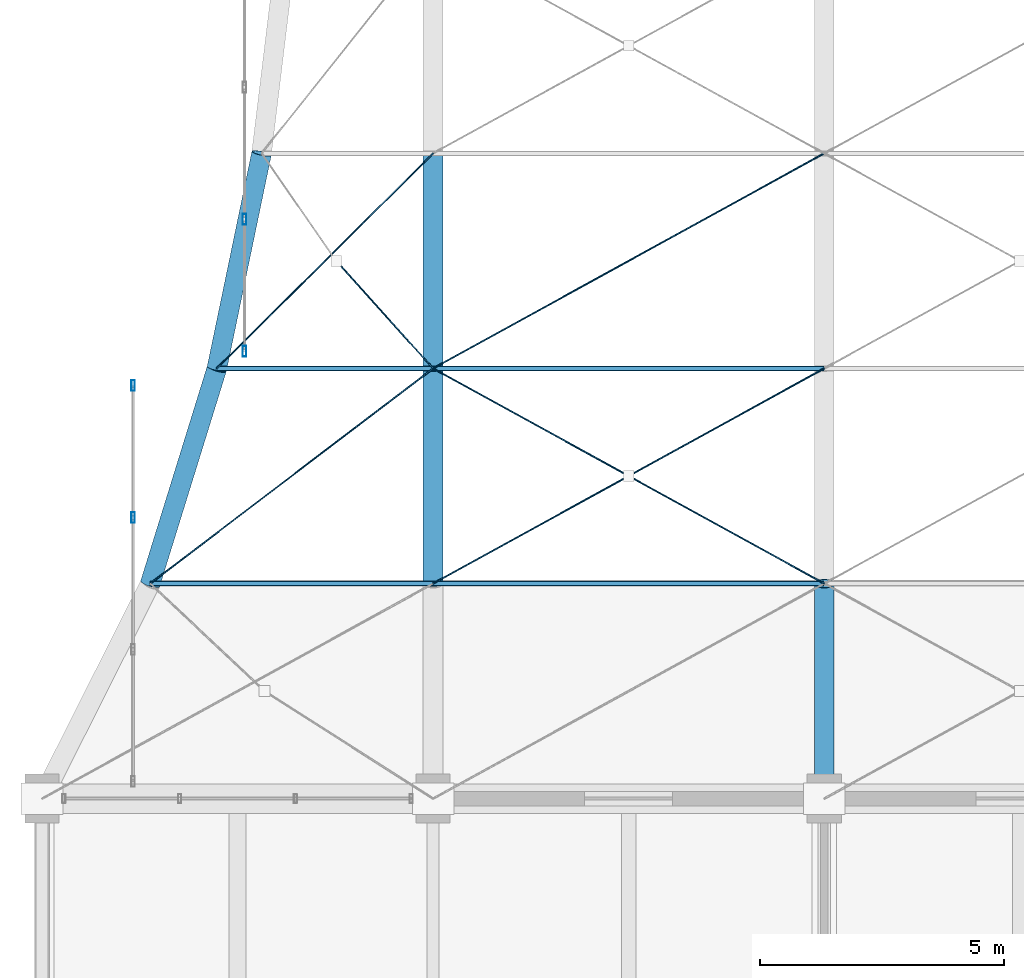
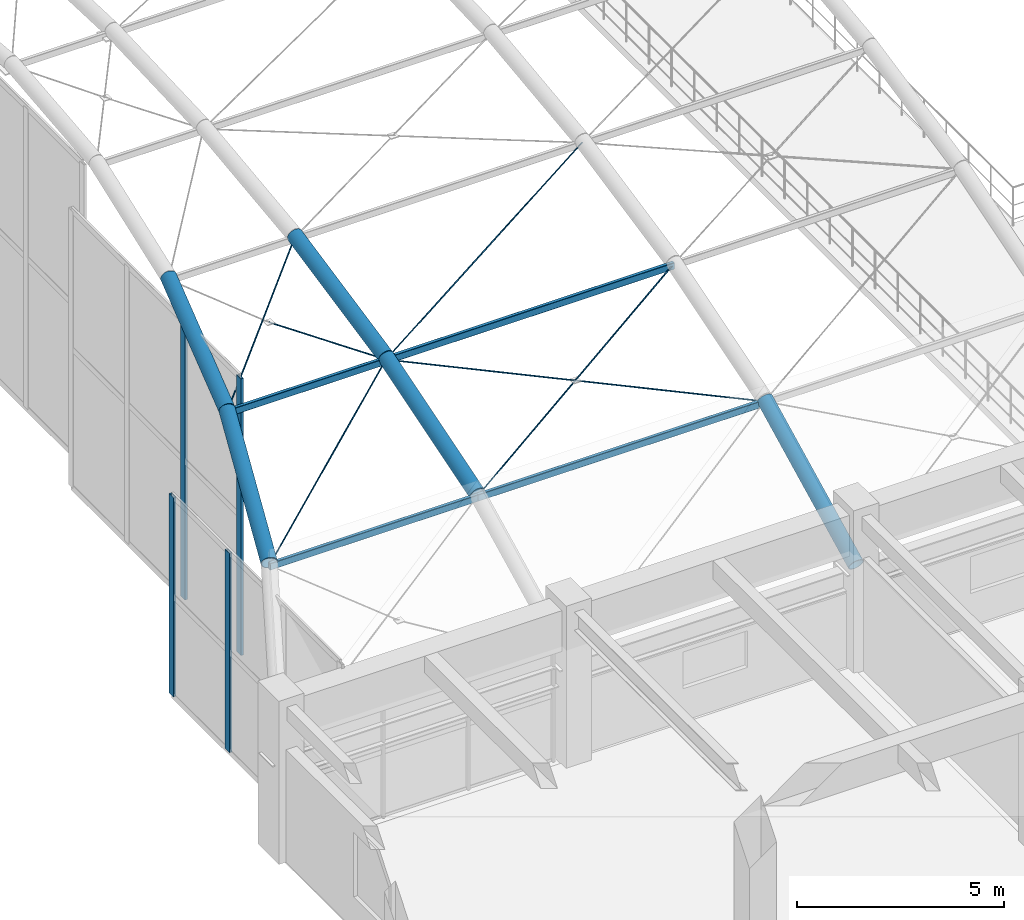
# One storey, part 10 of 144: 11 members, 9 beams, 2 elements without a shape of their own.
"""IFC4 building model written with IfcOpenShell, lengths in metres."""

from ifc_helpers import new_model, si_unit, direction, frame, origin, origin_2d, place, context, subcontext, project, spatial, hollow_rectangle, circle, hollow_circle, extrude, material, material_profile, profile_set, type_object, element, aggregate, save


model = new_model("IFC4")

# Units and contexts
model_context = context("Model", 3, precision=1e-05, world=origin(), true_north=direction((0.0, 1.0)))
body_context = subcontext(model_context, "Body", "Model", "MODEL_VIEW")
ifc_project = project(units=[si_unit("LENGTHUNIT", "METRE"), si_unit("AREAUNIT", "SQUARE_METRE"), si_unit("VOLUMEUNIT", "CUBIC_METRE"), si_unit("PLANEANGLEUNIT", "RADIAN"), si_unit("MASSUNIT", "GRAM", prefix="KILO")], contexts=[model_context])

# Site, building, storey
site_placement = place(None, origin())
site = spatial("IfcSite", under=ifc_project, at=site_placement, CompositionType="ELEMENT")
building_placement = place(site_placement, origin())
building = spatial("IfcBuilding", under=site, at=building_placement, Name="Varnabhumi Central Station", CompositionType="ELEMENT")
storey_placement = place(building_placement, frame((0.0, 0.0, 4.800048828125)))
storey = spatial("IfcBuildingStorey", under=building, at=storey_placement, Name="L01", CompositionType="ELEMENT", Elevation=4.800048828125)

# Beams
ifc_material_1 = material(Name="Structural steel E350", Category="steel")
ifc_material_profile_1 = material_profile(ifc_material_1, hollow_circle(Radius=0.203125, WallThickness=0.01611328125, at=origin_2d()), Name="Structural steel E350", Category="steel")
ifc_profile_set_1 = profile_set([ifc_material_profile_1], Name="Structural steel E350")
beam_type_1 = type_object("IfcBeamType", Name="BM-ARCH-CHS406", PredefinedType="BEAM", material=ifc_profile_set_1)
beam_1_placement = place(storey_placement, frame((2.2138671875, 40.39990234375, 5.013916015625), z_axis=(0.283827510575, 0.915921794645, 0.283776690967), x_axis=(-0.95518924728, 0.295995780173, 0.0)))
element("IfcBeam", 1, at=beam_1_placement, inside=storey, type_object=beam_type_1, Name="Forecourt Arrival Canopy Vault Arch Rib 1 Seg 2", PredefinedType="BEAM", context=body_context, shape_type="SweptSolid", body=[
    extrude(hollow_circle(Radius=0.203125, WallThickness=0.01611328125, at=origin_2d()), origin(), (0.0, 0.0, 1.0), 4.803955078125),
])
beam_2_placement = place(storey_placement, frame((3.577392578125, 44.800048828125, 6.377197265625), z_axis=(0.199321704264, 0.95944865231, 0.199321704264), x_axis=(-0.979095067091, 0.20340317008, 0.0)))
element("IfcBeam", 2, at=beam_2_placement, inside=storey, type_object=beam_type_1, Name="Forecourt Arrival Canopy Vault Arch Rib 1 Seg 3", PredefinedType="BEAM", context=body_context, shape_type="SweptSolid", body=[
    extrude(hollow_circle(Radius=0.203125, WallThickness=0.01611328125, at=origin_2d()), origin(), (0.0, 0.0, 1.0), 4.5859375),
])
beam_3_placement = place(storey_placement, frame((8.0, 40.39990234375, 5.013916015625), z_axis=(0.0, 0.95520423062, 0.295947424057), x_axis=(-1.0, 0.0, 0.0)))
element("IfcBeam", 3, at=beam_3_placement, inside=storey, type_object=beam_type_1, Name="Forecourt Arrival Canopy Vault Arch Rib 2 Seg 2", PredefinedType="BEAM", context=body_context, shape_type="SweptSolid", body=[
    extrude(hollow_circle(Radius=0.203125, WallThickness=0.01611328125, at=origin_2d()), origin(), (0.0, 0.0, 1.0), 4.6064453125),
])
beam_4_placement = place(storey_placement, frame((8.0, 44.800048828125, 6.377197265625), z_axis=(0.0, 0.979095067091, 0.20340317008), x_axis=(-1.0, 0.0, 0.0)))
element("IfcBeam", 4, at=beam_4_placement, inside=storey, type_object=beam_type_1, Name="Forecourt Arrival Canopy Vault Arch Rib 2 Seg 3", PredefinedType="BEAM", context=body_context, shape_type="SweptSolid", body=[
    extrude(hollow_circle(Radius=0.203125, WallThickness=0.01611328125, at=origin_2d()), origin(), (0.0, 0.0, 1.0), 4.493896484375),
])
beam_5_placement = place(storey_placement, frame((16.0, 36.0, 2.800048828125), z_axis=(0.0, 0.893294210393, 0.449472417037), x_axis=(-1.0, 0.0, 0.0)))
element("IfcBeam", 5, at=beam_5_placement, inside=storey, type_object=beam_type_1, Name="Forecourt Arrival Canopy Vault Arch Rib 3 Seg 1", PredefinedType="BEAM", context=body_context, shape_type="SweptSolid", body=[
    extrude(hollow_circle(Radius=0.203125, WallThickness=0.01611328125, at=origin_2d()), origin(), (0.0, 0.0, 1.0), 4.925537109375),
])
ifc_material_profile_2 = material_profile(ifc_material_1, hollow_rectangle(XDim=0.10009765625, YDim=0.199951171875, WallThickness=0.008056640625, InnerFilletRadius=0.008056640625, OuterFilletRadius=0.01611328125, at=origin_2d()), Name="Structural steel E350", Category="steel")
ifc_profile_set_2 = profile_set([ifc_material_profile_2], Name="Structural steel E350")
beam_type_2 = type_object("IfcBeamType", Name="BM-PUR-RHS200", PredefinedType="JOIST", material=ifc_profile_set_2)
beam_6_placement = place(storey_placement, frame((2.2138671875, 40.39990234375, 4.913818359375), z_axis=(1.0, 0.0, 0.0), x_axis=(0.0, 1.0, 0.0)))
element("IfcBeam", 6, at=beam_6_placement, inside=storey, type_object=beam_type_2, Name="Forecourt Arrival Canopy Vault Purlin B1-L1", PredefinedType="JOIST", context=body_context, shape_type="SweptSolid", body=[
    extrude(hollow_rectangle(XDim=0.10009765625, YDim=0.199951171875, WallThickness=0.008056640625, InnerFilletRadius=0.008056640625, OuterFilletRadius=0.01611328125, at=origin_2d()), origin(), (0.0, 0.0, 1.0), 5.7861328125),
])
beam_7_placement = place(storey_placement, frame((3.577392578125, 44.800048828125, 6.27734375), z_axis=(1.0, 0.0, 0.0), x_axis=(0.0, 1.0, 0.0)))
element("IfcBeam", 7, at=beam_7_placement, inside=storey, type_object=beam_type_2, Name="Forecourt Arrival Canopy Vault Purlin B1-L2", PredefinedType="JOIST", context=body_context, shape_type="SweptSolid", body=[
    extrude(hollow_rectangle(XDim=0.10009765625, YDim=0.199951171875, WallThickness=0.008056640625, InnerFilletRadius=0.008056640625, OuterFilletRadius=0.01611328125, at=origin_2d()), origin(), (0.0, 0.0, 1.0), 4.422607421875),
])
for number, where, z_axis, x_axis, name in (
    (8, (8.0, 40.39990234375, 4.913818359375), (1.0, 0.0, 0.0), (0.0, 1.0, 0.0), "Forecourt Arrival Canopy Vault Purlin B2-L1"),
    (9, (8.0, 44.800048828125, 6.27734375), (1.0, 0.0, 0.0), (0.0, 1.0, 0.0), "Forecourt Arrival Canopy Vault Purlin B2-L2"),
):
    element("IfcBeam", number, at=place(storey_placement, frame(where, z_axis=z_axis, x_axis=x_axis)), inside=storey, type_object=beam_type_2, Name=name, PredefinedType="JOIST", context=body_context, shape_type="SweptSolid", body=[
        extrude(hollow_rectangle(XDim=0.10009765625, YDim=0.199951171875, WallThickness=0.008056640625, InnerFilletRadius=0.008056640625, OuterFilletRadius=0.01611328125, at=origin_2d()), origin(), (0.0, 0.0, 1.0), 8.0),
    ])

# Curtain wall, members
ifc_material_2 = material(Name="Anodised aluminium 6063-T6", Category="aluminium")
curtain_wall_type = type_object("IfcCurtainWallType", Name="CW-VAULT-ARCH-V1", PredefinedType="NOTDEFINED", material=ifc_material_2)
curtain_wall_1_placement = place(storey_placement, origin())
curtain_wall_1 = element("IfcCurtainWall", 10, at=curtain_wall_1_placement, inside=storey, type_object=curtain_wall_type, Name="Curtain Wall CW-V11", PredefinedType="NOTDEFINED")
ifc_material_profile_3 = material_profile(ifc_material_2, hollow_rectangle(XDim=0.074951171875, YDim=0.219970703125, WallThickness=0.0048828125, InnerFilletRadius=0.0009765625, OuterFilletRadius=0.006103515625, at=origin_2d()), Name="Anodised aluminium 6063-T6", Category="aluminium")
ifc_profile_set_3 = profile_set([ifc_material_profile_3], Name="Anodised aluminium 6063-T6")
member_type_1 = type_object("IfcMemberType", Name="CW-MUL-220", PredefinedType="MULLION", material=ifc_profile_set_3)
member_1_placement = place(storey_placement, frame((1.864013671875, 41.75, -1.199951171875), z_axis=(0.0, 0.0, 1.0), x_axis=(1.0, 0.0, 0.0)))
member_1 = element("IfcMember", 11, at=member_1_placement, type_object=member_type_1, Name="Curtain Wall Mullion CW-V11-M3", PredefinedType="MULLION", context=body_context, shape_type="SweptSolid", body=[
    extrude(hollow_rectangle(XDim=0.074951171875, YDim=0.219970703125, WallThickness=0.0048828125, InnerFilletRadius=0.0009765625, OuterFilletRadius=0.006103515625, at=origin_2d()), origin(), (0.0, 0.0, 1.0), 5.86376953125),
])
member_2_placement = place(storey_placement, frame((1.864013671875, 44.449951171875, -1.199951171875), z_axis=(0.0, 0.0, 1.0), x_axis=(1.0, 0.0, 0.0)))
member_2 = element("IfcMember", 12, at=member_2_placement, type_object=member_type_1, Name="Curtain Wall Mullion CW-V11-M4", PredefinedType="MULLION", context=body_context, shape_type="SweptSolid", body=[
    extrude(hollow_rectangle(XDim=0.074951171875, YDim=0.219970703125, WallThickness=0.0048828125, InnerFilletRadius=0.0009765625, OuterFilletRadius=0.006103515625, at=origin_2d()), origin(), (0.0, 0.0, 1.0), 5.86376953125),
])
aggregate(curtain_wall_1, [member_1, member_2])

curtain_wall_2_placement = place(storey_placement, origin())
curtain_wall_2 = element("IfcCurtainWall", 13, at=curtain_wall_2_placement, inside=storey, type_object=curtain_wall_type, Name="Curtain Wall CW-V12", PredefinedType="NOTDEFINED")
member_3_placement = place(storey_placement, frame((4.14111328125, 45.14990234375, -1.199951171875), z_axis=(0.0, 0.0, 1.0), x_axis=(1.0, 0.0, 0.0)))
member_3 = element("IfcMember", 14, at=member_3_placement, type_object=member_type_1, Name="Curtain Wall Mullion CW-V12-M1", PredefinedType="MULLION", context=body_context, shape_type="SweptSolid", body=[
    extrude(hollow_rectangle(XDim=0.074951171875, YDim=0.219970703125, WallThickness=0.0048828125, InnerFilletRadius=0.0009765625, OuterFilletRadius=0.006103515625, at=origin_2d()), origin(), (0.0, 0.0, 1.0), 8.141357421875),
])
member_4_placement = place(storey_placement, frame((4.14111328125, 47.85009765625, -1.199951171875), z_axis=(0.0, 0.0, 1.0), x_axis=(1.0, 0.0, 0.0)))
member_4 = element("IfcMember", 15, at=member_4_placement, type_object=member_type_1, Name="Curtain Wall Mullion CW-V12-M2", PredefinedType="MULLION", context=body_context, shape_type="SweptSolid", body=[
    extrude(hollow_rectangle(XDim=0.074951171875, YDim=0.219970703125, WallThickness=0.0048828125, InnerFilletRadius=0.0009765625, OuterFilletRadius=0.006103515625, at=origin_2d()), origin(), (0.0, 0.0, 1.0), 8.141357421875),
])
aggregate(curtain_wall_2, [member_3, member_4])

# Members
ifc_material_3 = material(Name="Spiral-strand steel S1570", Category="steel")
ifc_material_profile_4 = material_profile(ifc_material_3, circle(Radius=0.013916015625, at=origin_2d()), Name="Spiral-strand steel S1570", Category="steel")
ifc_profile_set_4 = profile_set([ifc_material_profile_4], Name="Spiral-strand steel S1570")
member_type_2 = type_object("IfcMemberType", Name="MBR-CABLE-D28", PredefinedType="USERDEFINED", material=ifc_profile_set_4)
member_5_placement = place(storey_placement, frame((2.2138671875, 40.39990234375, 4.933837890625), z_axis=(0.782339819568, 0.59494137418, 0.184361514442), x_axis=(-0.605317422479, 0.795984182031, 0.0)))
element("IfcMember", 16, at=member_5_placement, inside=storey, type_object=member_type_2, Name="Forecourt Arrival Canopy Vault Cable-Net Tie B1-P2A", ObjectType="TENSION CABLE", PredefinedType="USERDEFINED", context=body_context, shape_type="SweptSolid", body=[
    extrude(circle(Radius=0.013916015625, at=origin_2d()), origin(), (0.0, 0.0, 1.0), 7.39599609375),
])
member_6_placement = place(storey_placement, frame((3.577392578125, 44.800048828125, 6.29736328125), z_axis=(0.701434927713, 0.697833854112, 0.144972253346), x_axis=(-0.70528467831, 0.708924200843, 0.0)))
element("IfcMember", 17, at=member_6_placement, inside=storey, type_object=member_type_2, Name="Forecourt Arrival Canopy Vault Cable-Net Tie B1-P3A", ObjectType="TENSION CABLE", PredefinedType="USERDEFINED", context=body_context, shape_type="SweptSolid", body=[
    extrude(circle(Radius=0.013916015625, at=origin_2d()), origin(), (0.0, 0.0, 1.0), 6.30517578125),
])
member_7_placement = place(storey_placement, frame((6.01708984375, 47.0, 6.75439453125), z_axis=(0.661683753768, -0.734108877764, -0.152508247606), x_axis=(0.742797981538, 0.669515614921, 0.0)))
element("IfcMember", 18, at=member_7_placement, inside=storey, type_object=member_type_2, Name="Forecourt Arrival Canopy Vault Cable-Net Split Tie B1-P3B2", ObjectType="TENSION CABLE", PredefinedType="USERDEFINED", context=body_context, shape_type="SweptSolid", body=[
    extrude(circle(Radius=0.013916015625, at=origin_2d()), origin(), (0.0, 0.0, 1.0), 2.996826171875),
])
member_8_placement = place(storey_placement, frame((8.0, 40.39990234375, 4.933837890625), z_axis=(0.866598577949, 0.476645085766, 0.147703645564), x_axis=(-0.481931067474, 0.876209133828, 0.0)))
element("IfcMember", 19, at=member_8_placement, inside=storey, type_object=member_type_2, Name="Forecourt Arrival Canopy Vault Cable-Net Tie B2-P2A", ObjectType="TENSION CABLE", PredefinedType="USERDEFINED", context=body_context, shape_type="SweptSolid", body=[
    extrude(circle(Radius=0.013916015625, at=origin_2d()), origin(), (0.0, 0.0, 1.0), 9.2314453125),
])
for number, where, z_axis, x_axis, name in (
    (20, (8.0, 44.800048828125, 6.29736328125), (0.866606116282, -0.476622785267, -0.147731377123), (0.481910537812, 0.876220425204, 0.0), "Forecourt Arrival Canopy Vault Cable-Net Split Tie B2-P2B1"),
    (21, (12.0, 42.60009765625, 5.615478515625), (0.8665910386, -0.476667385245, -0.147675914293), (0.481951596342, 0.876197842262, 0.0), "Forecourt Arrival Canopy Vault Cable-Net Split Tie B2-P2B2"),
):
    element("IfcMember", number, at=place(storey_placement, frame(where, z_axis=z_axis, x_axis=x_axis)), inside=storey, type_object=member_type_2, Name=name, ObjectType="TENSION CABLE", PredefinedType="USERDEFINED", context=body_context, shape_type="SweptSolid", body=[
        extrude(circle(Radius=0.013916015625, at=origin_2d()), origin(), (0.0, 0.0, 1.0), 4.61572265625),
    ])
member_9_placement = place(storey_placement, frame((8.0, 44.800048828125, 6.29736328125), z_axis=(0.871861974597, 0.479513443182, 0.099617042019), x_axis=(-0.481910537812, 0.876220425204, 0.0)))
element("IfcMember", 22, at=member_9_placement, inside=storey, type_object=member_type_2, Name="Forecourt Arrival Canopy Vault Cable-Net Tie B2-P3A", ObjectType="TENSION CABLE", PredefinedType="USERDEFINED", context=body_context, shape_type="SweptSolid", body=[
    extrude(circle(Radius=0.013916015625, at=origin_2d()), origin(), (0.0, 0.0, 1.0), 9.17578125),
])

save(model, "model.ifc")
